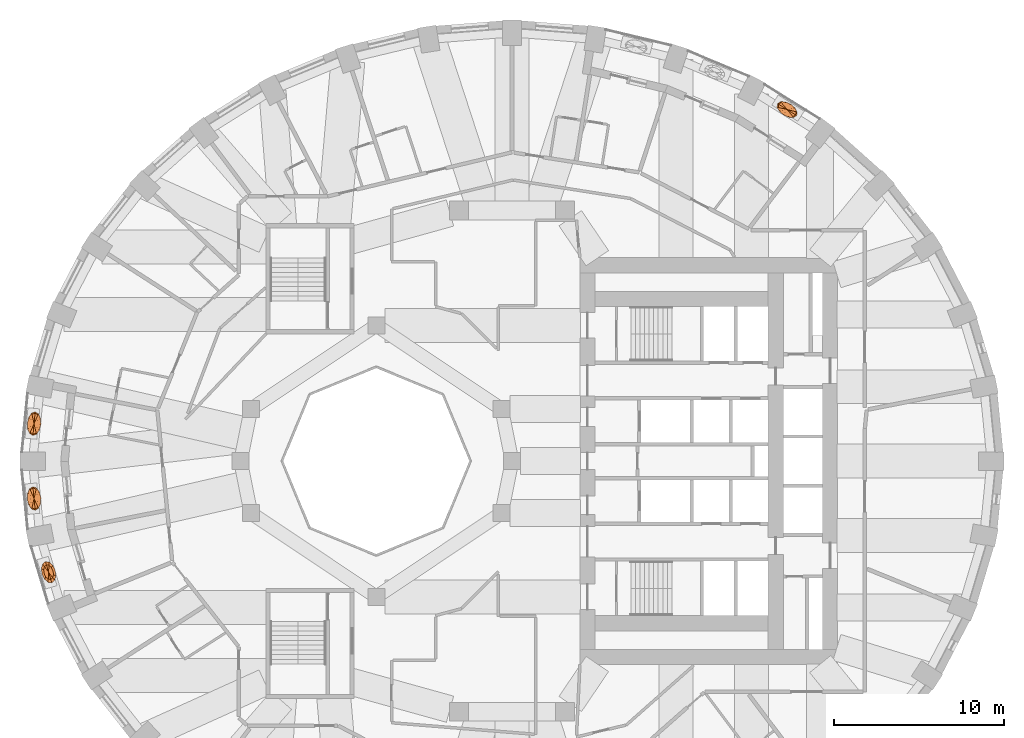
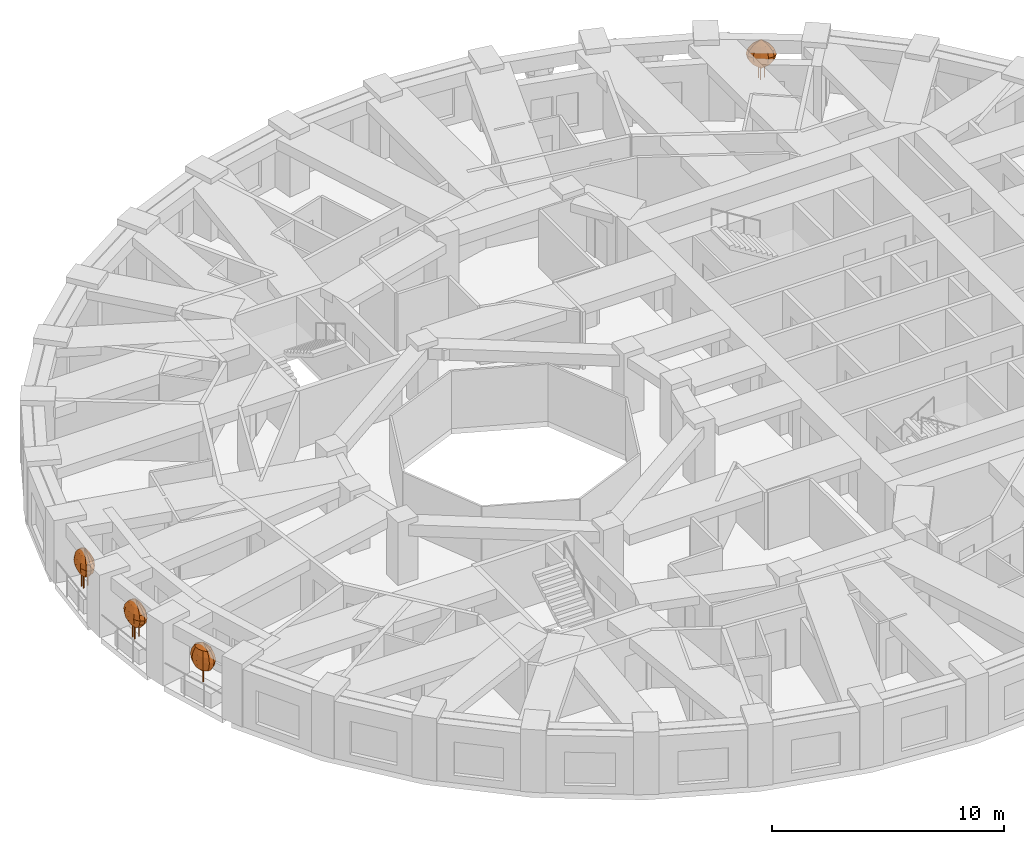
# One storey, part 12 of 13: 4 geographic elements.
"""IFC4 building model written with IfcOpenShell, lengths in metres."""

from ifc_helpers import new_model, si_unit, direction, frame, origin, place, context, subcontext, project, spatial, faceted_brep, material, constituent, constituent_set, type_object, element, save


model = new_model("IFC4")

# Units and contexts
model_context = context("Model", 3, precision=1e-05, world=origin(), true_north=direction((0.0, 1.0)))
body_context = subcontext(model_context, "Body", "Model", "MODEL_VIEW")
ifc_project = project(units=[si_unit("LENGTHUNIT", "METRE"), si_unit("AREAUNIT", "SQUARE_METRE"), si_unit("VOLUMEUNIT", "CUBIC_METRE"), si_unit("PLANEANGLEUNIT", "RADIAN"), si_unit("MASSUNIT", "GRAM", prefix="KILO")], contexts=[model_context])

# Site, building, storey
site_placement = place(None, origin())
site = spatial("IfcSite", under=ifc_project, at=site_placement, CompositionType="ELEMENT")
building_placement = place(site_placement, origin())
building = spatial("IfcBuilding", under=site, at=building_placement, Name="Taillehof Tower", CompositionType="ELEMENT")
storey_placement = place(building_placement, frame((0.0, 0.0, 67.89990234375)))
storey = spatial("IfcBuildingStorey", under=building, at=storey_placement, Name="L18", CompositionType="ELEMENT", Elevation=67.89990234375)

# Geographic elements
ifc_material_1 = material(Name="Tree bark", Category="timber")
ifc_constituent_1 = constituent(ifc_material_1, Name="Trunk", Category="timber")
ifc_material_2 = material(Name="Tree foliage")
ifc_constituent_2 = constituent(ifc_material_2, Name="Crown")
ifc_constituent_set_1 = constituent_set(constituents=[ifc_constituent_1, ifc_constituent_2], Name="Tree TR1 Columnar hornbeam")
geographic_element_type_1 = type_object("IfcGeographicElementType", Name="Tree TR1 Columnar hornbeam", PredefinedType="USERDEFINED", material=ifc_constituent_set_1)
geographic_element_1_placement = place(storey_placement, frame((-27.314697265625, -6.548583984375, 0.75)))
element("IfcGeographicElement", 1, at=geographic_element_1_placement, inside=storey, type_object=geographic_element_type_1, Name="Tree TR1 Columnar hornbeam", ObjectType="TREE", PredefinedType="USERDEFINED", context=body_context, shape_type="Brep", body=[
    faceted_brep([(0.030029296875, 0.0, 0.0), (0.021240234375, 0.021240234375, 0.0), (0.021240234375, 0.021240234375, 1.092529296875), (0.030029296875, 0.0, 1.092529296875), (0.0, 0.030029296875, 0.0), (0.0, 0.030029296875, 1.092529296875), (-0.021240234375, 0.021240234375, 0.0), (-0.021240234375, 0.021240234375, 1.092529296875), (-0.030029296875, 0.0, 0.0), (-0.030029296875, 0.0, 1.092529296875), (-0.021240234375, -0.021240234375, 0.0), (-0.021240234375, -0.021240234375, 1.092529296875), (0.0, -0.030029296875, 0.0), (0.0, -0.030029296875, 1.092529296875), (0.021240234375, -0.021240234375, 0.0), (0.021240234375, -0.021240234375, 1.092529296875)], [[[0, 1, 2, 3]], [[1, 4, 5, 2]], [[4, 6, 7, 5]], [[6, 8, 9, 7]], [[8, 10, 11, 9]], [[10, 12, 13, 11]], [[12, 14, 15, 13]], [[14, 0, 3, 15]], [[14, 12, 10, 8, 6, 4, 1, 0]], [[3, 2, 5, 7, 9, 11, 13, 15]]]),
    faceted_brep([(0.0, 0.0, 0.550048828125), (0.2412109375, -0.3291015625, 0.808349609375), (0.12744140625, -0.42529296875, 0.808349609375), (0.290283203125, -0.144775390625, 0.808349609375), (0.26171875, 0.078369140625, 0.808349609375), (0.162841796875, 0.280517578125, 0.808349609375), (0.0205078125, 0.407470703125, 0.808349609375), (-0.12744140625, 0.42529296875, 0.808349609375), (-0.2412109375, 0.3291015625, 0.808349609375), (-0.290283203125, 0.144775390625, 0.808349609375), (-0.26171875, -0.078369140625, 0.808349609375), (-0.162841796875, -0.280517578125, 0.808349609375), (-0.0205078125, -0.407470703125, 0.808349609375), (0.326416015625, -0.445068359375, 1.066650390625), (0.17236328125, -0.5751953125, 1.066650390625), (0.392822265625, -0.19580078125, 1.066650390625), (0.35400390625, 0.106201171875, 1.066650390625), (0.220458984375, 0.379638671875, 1.066650390625), (0.027587890625, 0.55126953125, 1.066650390625), (-0.17236328125, 0.5751953125, 1.066650390625), (-0.326416015625, 0.445068359375, 1.066650390625), (-0.392822265625, 0.19580078125, 1.066650390625), (-0.35400390625, -0.106201171875, 1.066650390625), (-0.220458984375, -0.379638671875, 1.066650390625), (-0.027587890625, -0.55126953125, 1.066650390625), (0.353271484375, -0.481689453125, 1.324951171875), (0.1865234375, -0.62255859375, 1.324951171875), (0.425048828125, -0.2119140625, 1.324951171875), (0.383056640625, 0.11474609375, 1.324951171875), (0.238525390625, 0.410888671875, 1.324951171875), (0.030029296875, 0.5966796875, 1.324951171875), (-0.1865234375, 0.62255859375, 1.324951171875), (-0.353271484375, 0.481689453125, 1.324951171875), (-0.425048828125, 0.2119140625, 1.324951171875), (-0.383056640625, -0.11474609375, 1.324951171875), (-0.238525390625, -0.410888671875, 1.324951171875), (-0.030029296875, -0.5966796875, 1.324951171875), (0.326416015625, -0.445068359375, 1.583251953125), (0.17236328125, -0.5751953125, 1.583251953125), (0.392822265625, -0.19580078125, 1.583251953125), (0.35400390625, 0.106201171875, 1.583251953125), (0.220458984375, 0.379638671875, 1.583251953125), (0.027587890625, 0.55126953125, 1.583251953125), (-0.17236328125, 0.5751953125, 1.583251953125), (-0.326416015625, 0.445068359375, 1.583251953125), (-0.392822265625, 0.19580078125, 1.583251953125), (-0.35400390625, -0.106201171875, 1.583251953125), (-0.220458984375, -0.379638671875, 1.583251953125), (-0.027587890625, -0.55126953125, 1.583251953125), (0.2412109375, -0.3291015625, 1.841552734375), (0.12744140625, -0.42529296875, 1.841552734375), (0.290283203125, -0.144775390625, 1.841552734375), (0.26171875, 0.078369140625, 1.841552734375), (0.162841796875, 0.280517578125, 1.841552734375), (0.0205078125, 0.407470703125, 1.841552734375), (-0.12744140625, 0.42529296875, 1.841552734375), (-0.2412109375, 0.3291015625, 1.841552734375), (-0.290283203125, 0.144775390625, 1.841552734375), (-0.26171875, -0.078369140625, 1.841552734375), (-0.162841796875, -0.280517578125, 1.841552734375), (-0.0205078125, -0.407470703125, 1.841552734375), (0.0, 0.0, 2.10009765625)], [[[0, 1, 2]], [[0, 3, 1]], [[0, 4, 3]], [[0, 5, 4]], [[0, 6, 5]], [[0, 7, 6]], [[0, 8, 7]], [[0, 9, 8]], [[0, 10, 9]], [[0, 11, 10]], [[0, 12, 11]], [[0, 2, 12]], [[2, 1, 13, 14]], [[1, 3, 15, 13]], [[3, 4, 16, 15]], [[4, 5, 17, 16]], [[5, 6, 18, 17]], [[6, 7, 19, 18]], [[7, 8, 20, 19]], [[8, 9, 21, 20]], [[9, 10, 22, 21]], [[10, 11, 23, 22]], [[11, 12, 24, 23]], [[12, 2, 14, 24]], [[14, 13, 25, 26]], [[13, 15, 27, 25]], [[15, 16, 28, 27]], [[16, 17, 29, 28]], [[17, 18, 30, 29]], [[18, 19, 31, 30]], [[19, 20, 32, 31]], [[20, 21, 33, 32]], [[21, 22, 34, 33]], [[22, 23, 35, 34]], [[23, 24, 36, 35]], [[24, 14, 26, 36]], [[26, 25, 37, 38]], [[25, 27, 39, 37]], [[27, 28, 40, 39]], [[28, 29, 41, 40]], [[29, 30, 42, 41]], [[30, 31, 43, 42]], [[31, 32, 44, 43]], [[32, 33, 45, 44]], [[33, 34, 46, 45]], [[34, 35, 47, 46]], [[35, 36, 48, 47]], [[36, 26, 38, 48]], [[38, 37, 49, 50]], [[37, 39, 51, 49]], [[39, 40, 52, 51]], [[40, 41, 53, 52]], [[41, 42, 54, 53]], [[42, 43, 55, 54]], [[43, 44, 56, 55]], [[44, 45, 57, 56]], [[45, 46, 58, 57]], [[46, 47, 59, 58]], [[47, 48, 60, 59]], [[48, 38, 50, 60]], [[50, 49, 61]], [[49, 51, 61]], [[51, 52, 61]], [[52, 53, 61]], [[53, 54, 61]], [[54, 55, 61]], [[55, 56, 61]], [[56, 57, 61]], [[57, 58, 61]], [[58, 59, 61]], [[59, 60, 61]], [[60, 50, 61]]]),
])
ifc_material_3 = material(Name="Tree bark", Category="timber")
ifc_constituent_3 = constituent(ifc_material_3, Name="Trunk", Category="timber")
ifc_material_4 = material(Name="Tree foliage")
ifc_constituent_4 = constituent(ifc_material_4, Name="Crown")
ifc_constituent_set_2 = constituent_set(constituents=[ifc_constituent_3, ifc_constituent_4], Name="Tree TR3 Multi-stem serviceberry")
geographic_element_type_2 = type_object("IfcGeographicElementType", Name="Tree TR3 Multi-stem serviceberry", PredefinedType="USERDEFINED", material=ifc_constituent_set_2)
geographic_element_2_placement = place(storey_placement, frame((-28.17138671875, 2.205322265625, 0.75)))
element("IfcGeographicElement", 2, at=geographic_element_2_placement, inside=storey, type_object=geographic_element_type_2, Name="Tree TR3 Multi-stem serviceberry", ObjectType="TREE", PredefinedType="USERDEFINED", context=body_context, shape_type="Brep", body=[
    faceted_brep([(0.203857421875, 0.0, 0.0), (0.1953125, 0.0205078125, 0.0), (0.1953125, 0.0205078125, 1.04248046875), (0.203857421875, 0.0, 1.04248046875), (0.175048828125, 0.02880859375, 0.0), (0.175048828125, 0.02880859375, 1.04248046875), (0.154541015625, 0.0205078125, 0.0), (0.154541015625, 0.0205078125, 1.04248046875), (0.146240234375, 0.0, 0.0), (0.146240234375, 0.0, 1.04248046875), (0.154541015625, -0.0205078125, 0.0), (0.154541015625, -0.0205078125, 1.04248046875), (0.175048828125, -0.02880859375, 0.0), (0.175048828125, -0.02880859375, 1.04248046875), (0.1953125, -0.0205078125, 0.0), (0.1953125, -0.0205078125, 1.04248046875)], [[[0, 1, 2, 3]], [[1, 4, 5, 2]], [[4, 6, 7, 5]], [[6, 8, 9, 7]], [[8, 10, 11, 9]], [[10, 12, 13, 11]], [[12, 14, 15, 13]], [[14, 0, 3, 15]], [[14, 12, 10, 8, 6, 4, 1, 0]], [[3, 2, 5, 7, 9, 11, 13, 15]]]),
    faceted_brep([(-0.05859375, 0.086669921875, 0.0), (-0.067138671875, 0.10693359375, 0.0), (-0.067138671875, 0.10693359375, 1.04248046875), (-0.05859375, 0.086669921875, 1.04248046875), (-0.08740234375, 0.115478515625, 0.0), (-0.08740234375, 0.115478515625, 1.04248046875), (-0.10791015625, 0.10693359375, 0.0), (-0.10791015625, 0.10693359375, 1.04248046875), (-0.116455078125, 0.086669921875, 0.0), (-0.116455078125, 0.086669921875, 1.04248046875), (-0.10791015625, 0.066162109375, 0.0), (-0.10791015625, 0.066162109375, 1.04248046875), (-0.08740234375, 0.0576171875, 0.0), (-0.08740234375, 0.0576171875, 1.04248046875), (-0.067138671875, 0.066162109375, 0.0), (-0.067138671875, 0.066162109375, 1.04248046875)], [[[0, 1, 2, 3]], [[1, 4, 5, 2]], [[4, 6, 7, 5]], [[6, 8, 9, 7]], [[8, 10, 11, 9]], [[10, 12, 13, 11]], [[12, 14, 15, 13]], [[14, 0, 3, 15]], [[14, 12, 10, 8, 6, 4, 1, 0]], [[3, 2, 5, 7, 9, 11, 13, 15]]]),
    faceted_brep([(-0.05859375, -0.086669921875, 0.0), (-0.067138671875, -0.066162109375, 0.0), (-0.067138671875, -0.066162109375, 1.04248046875), (-0.05859375, -0.086669921875, 1.04248046875), (-0.08740234375, -0.0576171875, 0.0), (-0.08740234375, -0.0576171875, 1.04248046875), (-0.10791015625, -0.066162109375, 0.0), (-0.10791015625, -0.066162109375, 1.04248046875), (-0.116455078125, -0.086669921875, 0.0), (-0.116455078125, -0.086669921875, 1.04248046875), (-0.10791015625, -0.10693359375, 0.0), (-0.10791015625, -0.10693359375, 1.04248046875), (-0.08740234375, -0.115478515625, 0.0), (-0.08740234375, -0.115478515625, 1.04248046875), (-0.067138671875, -0.10693359375, 0.0), (-0.067138671875, -0.10693359375, 1.04248046875)], [[[0, 1, 2, 3]], [[1, 4, 5, 2]], [[4, 6, 7, 5]], [[6, 8, 9, 7]], [[8, 10, 11, 9]], [[10, 12, 13, 11]], [[12, 14, 15, 13]], [[14, 0, 3, 15]], [[14, 12, 10, 8, 6, 4, 1, 0]], [[3, 2, 5, 7, 9, 11, 13, 15]]]),
    faceted_brep([(0.0, 0.0, 0.5), (0.080322265625, -0.357666015625, 0.75830078125), (-0.0390625, -0.400146484375, 0.75830078125), (0.178466796875, -0.219482421875, 0.75830078125), (0.228759765625, -0.0224609375, 0.75830078125), (0.217529296875, 0.1806640625, 0.75830078125), (0.148193359375, 0.33544921875, 0.75830078125), (0.0390625, 0.400146484375, 0.75830078125), (-0.080322265625, 0.357666015625, 0.75830078125), (-0.178466796875, 0.219482421875, 0.75830078125), (-0.228759765625, 0.0224609375, 0.75830078125), (-0.217529296875, -0.1806640625, 0.75830078125), (-0.148193359375, -0.33544921875, 0.75830078125), (0.124755859375, -0.55517578125, 1.0166015625), (-0.060791015625, -0.620849609375, 1.0166015625), (0.27685546875, -0.340576171875, 1.0166015625), (0.354736328125, -0.03466796875, 1.0166015625), (0.337646484375, 0.280517578125, 1.0166015625), (0.22998046875, 0.5205078125, 1.0166015625), (0.060791015625, 0.620849609375, 1.0166015625), (-0.124755859375, 0.55517578125, 1.0166015625), (-0.27685546875, 0.340576171875, 1.0166015625), (-0.354736328125, 0.03466796875, 1.0166015625), (-0.337646484375, -0.280517578125, 1.0166015625), (-0.22998046875, -0.5205078125, 1.0166015625), (0.139892578125, -0.622802734375, 1.27490234375), (-0.068115234375, -0.69677734375, 1.27490234375), (0.310791015625, -0.382080078125, 1.27490234375), (0.398193359375, -0.0390625, 1.27490234375), (0.37890625, 0.314697265625, 1.27490234375), (0.258056640625, 0.583740234375, 1.27490234375), (0.068115234375, 0.69677734375, 1.27490234375), (-0.139892578125, 0.622802734375, 1.27490234375), (-0.310791015625, 0.382080078125, 1.27490234375), (-0.398193359375, 0.0390625, 1.27490234375), (-0.37890625, -0.314697265625, 1.27490234375), (-0.258056640625, -0.583740234375, 1.27490234375), (0.124755859375, -0.55517578125, 1.533447265625), (-0.060791015625, -0.620849609375, 1.533447265625), (0.27685546875, -0.340576171875, 1.533447265625), (0.354736328125, -0.03466796875, 1.533447265625), (0.337646484375, 0.280517578125, 1.533447265625), (0.22998046875, 0.5205078125, 1.533447265625), (0.060791015625, 0.620849609375, 1.533447265625), (-0.124755859375, 0.55517578125, 1.533447265625), (-0.27685546875, 0.340576171875, 1.533447265625), (-0.354736328125, 0.03466796875, 1.533447265625), (-0.337646484375, -0.280517578125, 1.533447265625), (-0.22998046875, -0.5205078125, 1.533447265625), (0.080322265625, -0.357666015625, 1.791748046875), (-0.0390625, -0.400146484375, 1.791748046875), (0.178466796875, -0.219482421875, 1.791748046875), (0.228759765625, -0.0224609375, 1.791748046875), (0.217529296875, 0.1806640625, 1.791748046875), (0.148193359375, 0.33544921875, 1.791748046875), (0.0390625, 0.400146484375, 1.791748046875), (-0.080322265625, 0.357666015625, 1.791748046875), (-0.178466796875, 0.219482421875, 1.791748046875), (-0.228759765625, 0.0224609375, 1.791748046875), (-0.217529296875, -0.1806640625, 1.791748046875), (-0.148193359375, -0.33544921875, 1.791748046875), (0.0, 0.0, 2.050048828125)], [[[0, 1, 2]], [[0, 3, 1]], [[0, 4, 3]], [[0, 5, 4]], [[0, 6, 5]], [[0, 7, 6]], [[0, 8, 7]], [[0, 9, 8]], [[0, 10, 9]], [[0, 11, 10]], [[0, 12, 11]], [[0, 2, 12]], [[2, 1, 13, 14]], [[1, 3, 15, 13]], [[3, 4, 16, 15]], [[4, 5, 17, 16]], [[5, 6, 18, 17]], [[6, 7, 19, 18]], [[7, 8, 20, 19]], [[8, 9, 21, 20]], [[9, 10, 22, 21]], [[10, 11, 23, 22]], [[11, 12, 24, 23]], [[12, 2, 14, 24]], [[14, 13, 25, 26]], [[13, 15, 27, 25]], [[15, 16, 28, 27]], [[16, 17, 29, 28]], [[17, 18, 30, 29]], [[18, 19, 31, 30]], [[19, 20, 32, 31]], [[20, 21, 33, 32]], [[21, 22, 34, 33]], [[22, 23, 35, 34]], [[23, 24, 36, 35]], [[24, 14, 26, 36]], [[26, 25, 37, 38]], [[25, 27, 39, 37]], [[27, 28, 40, 39]], [[28, 29, 41, 40]], [[29, 30, 42, 41]], [[30, 31, 43, 42]], [[31, 32, 44, 43]], [[32, 33, 45, 44]], [[33, 34, 46, 45]], [[34, 35, 47, 46]], [[35, 36, 48, 47]], [[36, 26, 38, 48]], [[38, 37, 49, 50]], [[37, 39, 51, 49]], [[39, 40, 52, 51]], [[40, 41, 53, 52]], [[41, 42, 54, 53]], [[42, 43, 55, 54]], [[43, 44, 56, 55]], [[44, 45, 57, 56]], [[45, 46, 58, 57]], [[46, 47, 59, 58]], [[47, 48, 60, 59]], [[48, 38, 50, 60]], [[50, 49, 61]], [[49, 51, 61]], [[51, 52, 61]], [[52, 53, 61]], [[53, 54, 61]], [[54, 55, 61]], [[55, 56, 61]], [[56, 57, 61]], [[57, 58, 61]], [[58, 59, 61]], [[59, 60, 61]], [[60, 50, 61]]]),
])
geographic_element_3_placement = place(storey_placement, frame((-28.17138671875, -2.205322265625, 0.75)))
element("IfcGeographicElement", 3, at=geographic_element_3_placement, inside=storey, type_object=geographic_element_type_2, Name="Tree TR3 Multi-stem serviceberry", ObjectType="TREE", PredefinedType="USERDEFINED", context=body_context, shape_type="Brep", body=[
    faceted_brep([(0.203857421875, 0.0, 0.0), (0.1953125, 0.0205078125, 0.0), (0.1953125, 0.0205078125, 1.04248046875), (0.203857421875, 0.0, 1.04248046875), (0.175048828125, 0.02880859375, 0.0), (0.175048828125, 0.02880859375, 1.04248046875), (0.154541015625, 0.0205078125, 0.0), (0.154541015625, 0.0205078125, 1.04248046875), (0.146240234375, 0.0, 0.0), (0.146240234375, 0.0, 1.04248046875), (0.154541015625, -0.0205078125, 0.0), (0.154541015625, -0.0205078125, 1.04248046875), (0.175048828125, -0.02880859375, 0.0), (0.175048828125, -0.02880859375, 1.04248046875), (0.1953125, -0.0205078125, 0.0), (0.1953125, -0.0205078125, 1.04248046875)], [[[0, 1, 2, 3]], [[1, 4, 5, 2]], [[4, 6, 7, 5]], [[6, 8, 9, 7]], [[8, 10, 11, 9]], [[10, 12, 13, 11]], [[12, 14, 15, 13]], [[14, 0, 3, 15]], [[14, 12, 10, 8, 6, 4, 1, 0]], [[3, 2, 5, 7, 9, 11, 13, 15]]]),
    faceted_brep([(-0.05859375, 0.086669921875, 0.0), (-0.067138671875, 0.10693359375, 0.0), (-0.067138671875, 0.10693359375, 1.04248046875), (-0.05859375, 0.086669921875, 1.04248046875), (-0.08740234375, 0.115478515625, 0.0), (-0.08740234375, 0.115478515625, 1.04248046875), (-0.10791015625, 0.10693359375, 0.0), (-0.10791015625, 0.10693359375, 1.04248046875), (-0.116455078125, 0.086669921875, 0.0), (-0.116455078125, 0.086669921875, 1.04248046875), (-0.10791015625, 0.066162109375, 0.0), (-0.10791015625, 0.066162109375, 1.04248046875), (-0.08740234375, 0.0576171875, 0.0), (-0.08740234375, 0.0576171875, 1.04248046875), (-0.067138671875, 0.066162109375, 0.0), (-0.067138671875, 0.066162109375, 1.04248046875)], [[[0, 1, 2, 3]], [[1, 4, 5, 2]], [[4, 6, 7, 5]], [[6, 8, 9, 7]], [[8, 10, 11, 9]], [[10, 12, 13, 11]], [[12, 14, 15, 13]], [[14, 0, 3, 15]], [[14, 12, 10, 8, 6, 4, 1, 0]], [[3, 2, 5, 7, 9, 11, 13, 15]]]),
    faceted_brep([(-0.05859375, -0.086669921875, 0.0), (-0.067138671875, -0.066162109375, 0.0), (-0.067138671875, -0.066162109375, 1.04248046875), (-0.05859375, -0.086669921875, 1.04248046875), (-0.08740234375, -0.0576171875, 0.0), (-0.08740234375, -0.0576171875, 1.04248046875), (-0.10791015625, -0.066162109375, 0.0), (-0.10791015625, -0.066162109375, 1.04248046875), (-0.116455078125, -0.086669921875, 0.0), (-0.116455078125, -0.086669921875, 1.04248046875), (-0.10791015625, -0.10693359375, 0.0), (-0.10791015625, -0.10693359375, 1.04248046875), (-0.08740234375, -0.115478515625, 0.0), (-0.08740234375, -0.115478515625, 1.04248046875), (-0.067138671875, -0.10693359375, 0.0), (-0.067138671875, -0.10693359375, 1.04248046875)], [[[0, 1, 2, 3]], [[1, 4, 5, 2]], [[4, 6, 7, 5]], [[6, 8, 9, 7]], [[8, 10, 11, 9]], [[10, 12, 13, 11]], [[12, 14, 15, 13]], [[14, 0, 3, 15]], [[14, 12, 10, 8, 6, 4, 1, 0]], [[3, 2, 5, 7, 9, 11, 13, 15]]]),
    faceted_brep([(0.0, 0.0, 0.5), (0.148193359375, -0.33544921875, 0.75830078125), (0.0390625, -0.400146484375, 0.75830078125), (0.217529296875, -0.1806640625, 0.75830078125), (0.228759765625, 0.0224609375, 0.75830078125), (0.178466796875, 0.219482421875, 0.75830078125), (0.080322265625, 0.357666015625, 0.75830078125), (-0.0390625, 0.400146484375, 0.75830078125), (-0.148193359375, 0.33544921875, 0.75830078125), (-0.217529296875, 0.1806640625, 0.75830078125), (-0.228759765625, -0.0224609375, 0.75830078125), (-0.178466796875, -0.219482421875, 0.75830078125), (-0.080322265625, -0.357666015625, 0.75830078125), (0.22998046875, -0.5205078125, 1.0166015625), (0.060791015625, -0.620849609375, 1.0166015625), (0.337646484375, -0.280517578125, 1.0166015625), (0.354736328125, 0.03466796875, 1.0166015625), (0.27685546875, 0.340576171875, 1.0166015625), (0.124755859375, 0.55517578125, 1.0166015625), (-0.060791015625, 0.620849609375, 1.0166015625), (-0.22998046875, 0.5205078125, 1.0166015625), (-0.337646484375, 0.280517578125, 1.0166015625), (-0.354736328125, -0.03466796875, 1.0166015625), (-0.27685546875, -0.340576171875, 1.0166015625), (-0.124755859375, -0.55517578125, 1.0166015625), (0.258056640625, -0.583740234375, 1.27490234375), (0.068115234375, -0.69677734375, 1.27490234375), (0.37890625, -0.314697265625, 1.27490234375), (0.398193359375, 0.0390625, 1.27490234375), (0.310791015625, 0.382080078125, 1.27490234375), (0.139892578125, 0.622802734375, 1.27490234375), (-0.068115234375, 0.69677734375, 1.27490234375), (-0.258056640625, 0.583740234375, 1.27490234375), (-0.37890625, 0.314697265625, 1.27490234375), (-0.398193359375, -0.0390625, 1.27490234375), (-0.310791015625, -0.382080078125, 1.27490234375), (-0.139892578125, -0.622802734375, 1.27490234375), (0.22998046875, -0.5205078125, 1.533447265625), (0.060791015625, -0.620849609375, 1.533447265625), (0.337646484375, -0.280517578125, 1.533447265625), (0.354736328125, 0.03466796875, 1.533447265625), (0.27685546875, 0.340576171875, 1.533447265625), (0.124755859375, 0.55517578125, 1.533447265625), (-0.060791015625, 0.620849609375, 1.533447265625), (-0.22998046875, 0.5205078125, 1.533447265625), (-0.337646484375, 0.280517578125, 1.533447265625), (-0.354736328125, -0.03466796875, 1.533447265625), (-0.27685546875, -0.340576171875, 1.533447265625), (-0.124755859375, -0.55517578125, 1.533447265625), (0.148193359375, -0.33544921875, 1.791748046875), (0.0390625, -0.400146484375, 1.791748046875), (0.217529296875, -0.1806640625, 1.791748046875), (0.228759765625, 0.0224609375, 1.791748046875), (0.178466796875, 0.219482421875, 1.791748046875), (0.080322265625, 0.357666015625, 1.791748046875), (-0.0390625, 0.400146484375, 1.791748046875), (-0.148193359375, 0.33544921875, 1.791748046875), (-0.217529296875, 0.1806640625, 1.791748046875), (-0.228759765625, -0.0224609375, 1.791748046875), (-0.178466796875, -0.219482421875, 1.791748046875), (-0.080322265625, -0.357666015625, 1.791748046875), (0.0, 0.0, 2.050048828125)], [[[0, 1, 2]], [[0, 3, 1]], [[0, 4, 3]], [[0, 5, 4]], [[0, 6, 5]], [[0, 7, 6]], [[0, 8, 7]], [[0, 9, 8]], [[0, 10, 9]], [[0, 11, 10]], [[0, 12, 11]], [[0, 2, 12]], [[2, 1, 13, 14]], [[1, 3, 15, 13]], [[3, 4, 16, 15]], [[4, 5, 17, 16]], [[5, 6, 18, 17]], [[6, 7, 19, 18]], [[7, 8, 20, 19]], [[8, 9, 21, 20]], [[9, 10, 22, 21]], [[10, 11, 23, 22]], [[11, 12, 24, 23]], [[12, 2, 14, 24]], [[14, 13, 25, 26]], [[13, 15, 27, 25]], [[15, 16, 28, 27]], [[16, 17, 29, 28]], [[17, 18, 30, 29]], [[18, 19, 31, 30]], [[19, 20, 32, 31]], [[20, 21, 33, 32]], [[21, 22, 34, 33]], [[22, 23, 35, 34]], [[23, 24, 36, 35]], [[24, 14, 26, 36]], [[26, 25, 37, 38]], [[25, 27, 39, 37]], [[27, 28, 40, 39]], [[28, 29, 41, 40]], [[29, 30, 42, 41]], [[30, 31, 43, 42]], [[31, 32, 44, 43]], [[32, 33, 45, 44]], [[33, 34, 46, 45]], [[34, 35, 47, 46]], [[35, 36, 48, 47]], [[36, 26, 38, 48]], [[38, 37, 49, 50]], [[37, 39, 51, 49]], [[39, 40, 52, 51]], [[40, 41, 53, 52]], [[41, 42, 54, 53]], [[42, 43, 55, 54]], [[43, 44, 56, 55]], [[44, 45, 57, 56]], [[45, 46, 58, 57]], [[46, 47, 59, 58]], [[47, 48, 60, 59]], [[48, 38, 50, 60]], [[50, 49, 61]], [[49, 51, 61]], [[51, 52, 61]], [[52, 53, 61]], [[53, 54, 61]], [[54, 55, 61]], [[55, 56, 61]], [[56, 57, 61]], [[57, 58, 61]], [[58, 59, 61]], [[59, 60, 61]], [[60, 50, 61]]]),
])
geographic_element_4_placement = place(storey_placement, frame((16.2158203125, 20.720703125, 0.75)))
element("IfcGeographicElement", 4, at=geographic_element_4_placement, inside=storey, type_object=geographic_element_type_2, Name="Tree TR3 Multi-stem serviceberry", ObjectType="TREE", PredefinedType="USERDEFINED", context=body_context, shape_type="Brep", body=[
    faceted_brep([(0.195068359375, 0.0, 0.0), (0.186767578125, 0.0205078125, 0.0), (0.186767578125, 0.0205078125, 1.04248046875), (0.195068359375, 0.0, 1.04248046875), (0.166259765625, 0.02880859375, 0.0), (0.166259765625, 0.02880859375, 1.04248046875), (0.145751953125, 0.0205078125, 0.0), (0.145751953125, 0.0205078125, 1.04248046875), (0.137451171875, 0.0, 0.0), (0.137451171875, 0.0, 1.04248046875), (0.145751953125, -0.0205078125, 0.0), (0.145751953125, -0.0205078125, 1.04248046875), (0.166259765625, -0.02880859375, 0.0), (0.166259765625, -0.02880859375, 1.04248046875), (0.186767578125, -0.0205078125, 0.0), (0.186767578125, -0.0205078125, 1.04248046875)], [[[0, 1, 2, 3]], [[1, 4, 5, 2]], [[4, 6, 7, 5]], [[6, 8, 9, 7]], [[8, 10, 11, 9]], [[10, 12, 13, 11]], [[12, 14, 15, 13]], [[14, 0, 3, 15]], [[14, 12, 10, 8, 6, 4, 1, 0]], [[3, 2, 5, 7, 9, 11, 13, 15]]]),
    faceted_brep([(-0.05419921875, 0.082275390625, 0.0), (-0.062744140625, 0.102783203125, 0.0), (-0.062744140625, 0.102783203125, 1.04248046875), (-0.05419921875, 0.082275390625, 1.04248046875), (-0.0830078125, 0.111083984375, 0.0), (-0.0830078125, 0.111083984375, 1.04248046875), (-0.103515625, 0.102783203125, 0.0), (-0.103515625, 0.102783203125, 1.04248046875), (-0.112060546875, 0.082275390625, 0.0), (-0.112060546875, 0.082275390625, 1.04248046875), (-0.103515625, 0.061767578125, 0.0), (-0.103515625, 0.061767578125, 1.04248046875), (-0.0830078125, 0.053466796875, 0.0), (-0.0830078125, 0.053466796875, 1.04248046875), (-0.062744140625, 0.061767578125, 0.0), (-0.062744140625, 0.061767578125, 1.04248046875)], [[[0, 1, 2, 3]], [[1, 4, 5, 2]], [[4, 6, 7, 5]], [[6, 8, 9, 7]], [[8, 10, 11, 9]], [[10, 12, 13, 11]], [[12, 14, 15, 13]], [[14, 0, 3, 15]], [[14, 12, 10, 8, 6, 4, 1, 0]], [[3, 2, 5, 7, 9, 11, 13, 15]]]),
    faceted_brep([(-0.05419921875, -0.082275390625, 0.0), (-0.062744140625, -0.061767578125, 0.0), (-0.062744140625, -0.061767578125, 1.04248046875), (-0.05419921875, -0.082275390625, 1.04248046875), (-0.0830078125, -0.053466796875, 0.0), (-0.0830078125, -0.053466796875, 1.04248046875), (-0.103515625, -0.061767578125, 0.0), (-0.103515625, -0.061767578125, 1.04248046875), (-0.112060546875, -0.082275390625, 0.0), (-0.112060546875, -0.082275390625, 1.04248046875), (-0.103515625, -0.102783203125, 0.0), (-0.103515625, -0.102783203125, 1.04248046875), (-0.0830078125, -0.111083984375, 0.0), (-0.0830078125, -0.111083984375, 1.04248046875), (-0.062744140625, -0.102783203125, 0.0), (-0.062744140625, -0.102783203125, 1.04248046875)], [[[0, 1, 2, 3]], [[1, 4, 5, 2]], [[4, 6, 7, 5]], [[6, 8, 9, 7]], [[8, 10, 11, 9]], [[10, 12, 13, 11]], [[12, 14, 15, 13]], [[14, 0, 3, 15]], [[14, 12, 10, 8, 6, 4, 1, 0]], [[3, 2, 5, 7, 9, 11, 13, 15]]]),
    faceted_brep([(0.0, 0.0, 0.5), (-0.33837890625, 0.0830078125, 0.75830078125), (-0.32373046875, 0.20263671875, 0.75830078125), (-0.26220703125, -0.058837890625, 0.75830078125), (-0.11572265625, -0.18505859375, 0.75830078125), (0.0615234375, -0.261474609375, 0.75830078125), (0.222412109375, -0.26806640625, 0.75830078125), (0.32373046875, -0.20263671875, 0.75830078125), (0.33837890625, -0.0830078125, 0.75830078125), (0.26220703125, 0.058837890625, 0.75830078125), (0.11572265625, 0.18505859375, 0.75830078125), (-0.0615234375, 0.261474609375, 0.75830078125), (-0.222412109375, 0.26806640625, 0.75830078125), (-0.52490234375, 0.12890625, 1.0166015625), (-0.50244140625, 0.314453125, 1.0166015625), (-0.40673828125, -0.09130859375, 1.0166015625), (-0.1796875, -0.287109375, 1.0166015625), (0.095703125, -0.40576171875, 1.0166015625), (0.34521484375, -0.415771484375, 1.0166015625), (0.50244140625, -0.314453125, 1.0166015625), (0.52490234375, -0.12890625, 1.0166015625), (0.40673828125, 0.09130859375, 1.0166015625), (0.1796875, 0.287109375, 1.0166015625), (-0.095703125, 0.40576171875, 1.0166015625), (-0.34521484375, 0.415771484375, 1.0166015625), (-0.5888671875, 0.14453125, 1.27490234375), (-0.563720703125, 0.352783203125, 1.27490234375), (-0.45654296875, -0.1025390625, 1.27490234375), (-0.20166015625, -0.322021484375, 1.27490234375), (0.107177734375, -0.455322265625, 1.27490234375), (0.387451171875, -0.466552734375, 1.27490234375), (0.563720703125, -0.352783203125, 1.27490234375), (0.5888671875, -0.14453125, 1.27490234375), (0.45654296875, 0.1025390625, 1.27490234375), (0.20166015625, 0.322021484375, 1.27490234375), (-0.107177734375, 0.455322265625, 1.27490234375), (-0.387451171875, 0.466552734375, 1.27490234375), (-0.52490234375, 0.12890625, 1.533447265625), (-0.50244140625, 0.314453125, 1.533447265625), (-0.40673828125, -0.09130859375, 1.533447265625), (-0.1796875, -0.287109375, 1.533447265625), (0.095703125, -0.40576171875, 1.533447265625), (0.34521484375, -0.415771484375, 1.533447265625), (0.50244140625, -0.314453125, 1.533447265625), (0.52490234375, -0.12890625, 1.533447265625), (0.40673828125, 0.09130859375, 1.533447265625), (0.1796875, 0.287109375, 1.533447265625), (-0.095703125, 0.40576171875, 1.533447265625), (-0.34521484375, 0.415771484375, 1.533447265625), (-0.33837890625, 0.0830078125, 1.791748046875), (-0.32373046875, 0.20263671875, 1.791748046875), (-0.26220703125, -0.058837890625, 1.791748046875), (-0.11572265625, -0.18505859375, 1.791748046875), (0.0615234375, -0.261474609375, 1.791748046875), (0.222412109375, -0.26806640625, 1.791748046875), (0.32373046875, -0.20263671875, 1.791748046875), (0.33837890625, -0.0830078125, 1.791748046875), (0.26220703125, 0.058837890625, 1.791748046875), (0.11572265625, 0.18505859375, 1.791748046875), (-0.0615234375, 0.261474609375, 1.791748046875), (-0.222412109375, 0.26806640625, 1.791748046875), (0.0, 0.0, 2.050048828125)], [[[0, 1, 2]], [[0, 3, 1]], [[0, 4, 3]], [[0, 5, 4]], [[0, 6, 5]], [[0, 7, 6]], [[0, 8, 7]], [[0, 9, 8]], [[0, 10, 9]], [[0, 11, 10]], [[0, 12, 11]], [[0, 2, 12]], [[2, 1, 13, 14]], [[1, 3, 15, 13]], [[3, 4, 16, 15]], [[4, 5, 17, 16]], [[5, 6, 18, 17]], [[6, 7, 19, 18]], [[7, 8, 20, 19]], [[8, 9, 21, 20]], [[9, 10, 22, 21]], [[10, 11, 23, 22]], [[11, 12, 24, 23]], [[12, 2, 14, 24]], [[14, 13, 25, 26]], [[13, 15, 27, 25]], [[15, 16, 28, 27]], [[16, 17, 29, 28]], [[17, 18, 30, 29]], [[18, 19, 31, 30]], [[19, 20, 32, 31]], [[20, 21, 33, 32]], [[21, 22, 34, 33]], [[22, 23, 35, 34]], [[23, 24, 36, 35]], [[24, 14, 26, 36]], [[26, 25, 37, 38]], [[25, 27, 39, 37]], [[27, 28, 40, 39]], [[28, 29, 41, 40]], [[29, 30, 42, 41]], [[30, 31, 43, 42]], [[31, 32, 44, 43]], [[32, 33, 45, 44]], [[33, 34, 46, 45]], [[34, 35, 47, 46]], [[35, 36, 48, 47]], [[36, 26, 38, 48]], [[38, 37, 49, 50]], [[37, 39, 51, 49]], [[39, 40, 52, 51]], [[40, 41, 53, 52]], [[41, 42, 54, 53]], [[42, 43, 55, 54]], [[43, 44, 56, 55]], [[44, 45, 57, 56]], [[45, 46, 58, 57]], [[46, 47, 59, 58]], [[47, 48, 60, 59]], [[48, 38, 50, 60]], [[50, 49, 61]], [[49, 51, 61]], [[51, 52, 61]], [[52, 53, 61]], [[53, 54, 61]], [[54, 55, 61]], [[55, 56, 61]], [[56, 57, 61]], [[57, 58, 61]], [[58, 59, 61]], [[59, 60, 61]], [[60, 50, 61]]]),
])

save(model, "model.ifc")
